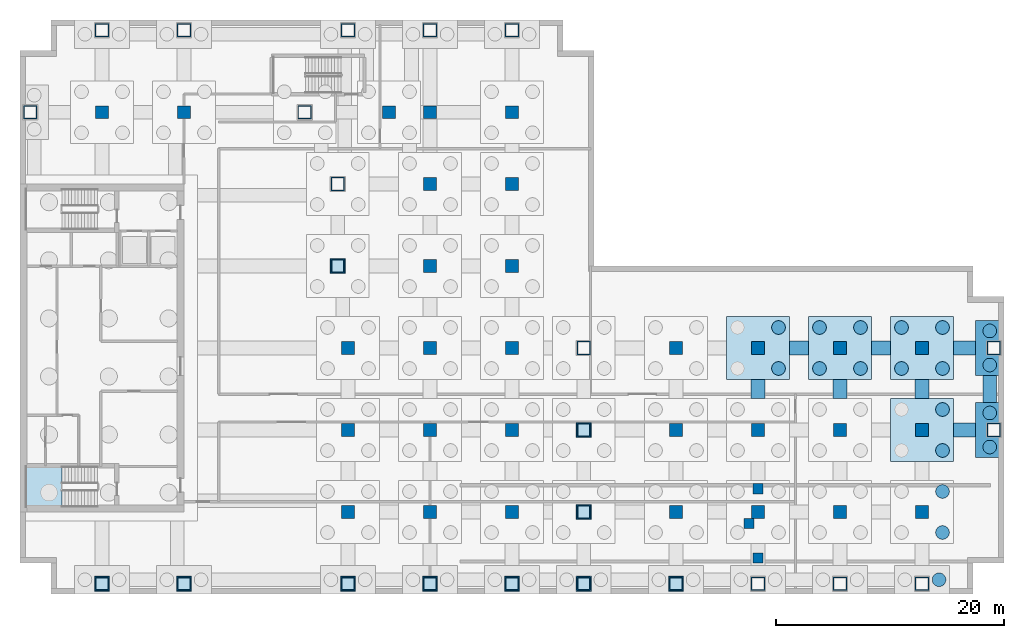
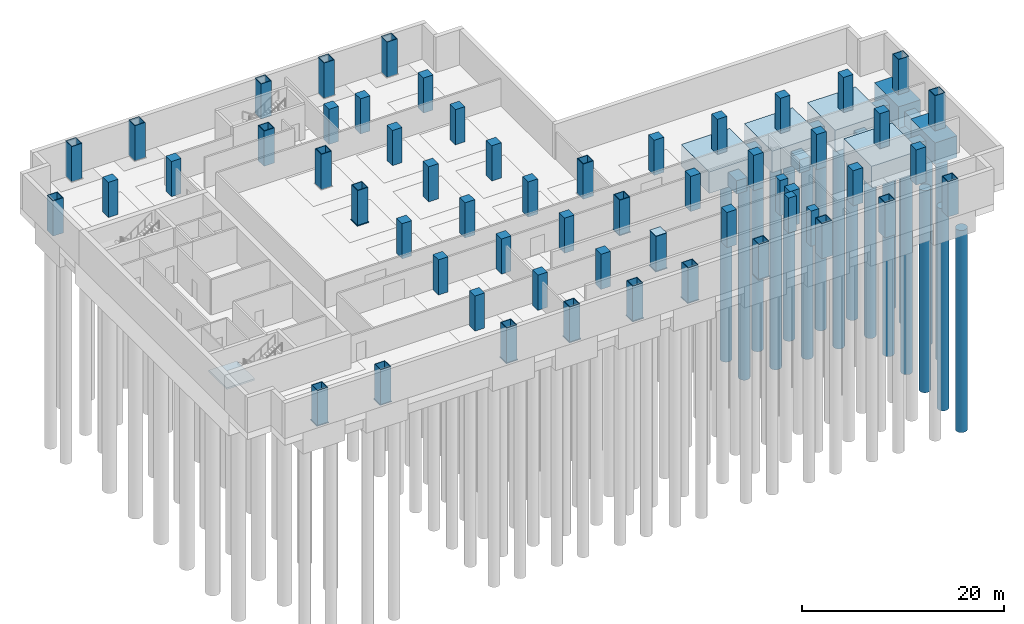
# One storey, part 3 of 11: 57 columns, 19 piles, 14 footings, 11 plates, 1 slab, 1 element without a shape of its own.
"""IFC4 building model written with IfcOpenShell, lengths in metres."""

from ifc_helpers import new_model, si_unit, direction, frame, origin, origin_2d, place, context, subcontext, project, spatial, polyline, rectangle, hollow_rectangle, circle, outline, extrude, material, layer, layer_set, material_profile, profile_set, type_object, element, aggregate, save


model = new_model("IFC4")

# Units and contexts
model_context = context("Model", 3, precision=1e-05, world=origin(), true_north=direction((0.0, 1.0)))
body_context = subcontext(model_context, "Body", "Model", "MODEL_VIEW")
ifc_project = project(units=[si_unit("LENGTHUNIT", "METRE"), si_unit("AREAUNIT", "SQUARE_METRE"), si_unit("VOLUMEUNIT", "CUBIC_METRE"), si_unit("PLANEANGLEUNIT", "RADIAN"), si_unit("MASSUNIT", "GRAM", prefix="KILO")], contexts=[model_context])

# Site, building, storey
site_placement = place(None, origin())
site = spatial("IfcSite", under=ifc_project, at=site_placement, CompositionType="ELEMENT")
building_placement = place(site_placement, origin())
building = spatial("IfcBuilding", under=site, at=building_placement, Name="Cobrela Telecom Tower", CompositionType="ELEMENT")
storey_placement = place(building_placement, frame((0.0, 0.0, -9.10009765625)))
storey = spatial("IfcBuildingStorey", under=building, at=storey_placement, Name="B2", CompositionType="ELEMENT", Elevation=-9.10009765625)

# Footings
ifc_material_1 = material(Name="Concrete C40/50", Category="concrete")
ifc_material_profile_1 = material_profile(ifc_material_1, rectangle(XDim=1.199951171875, YDim=1.60009765625, at=origin_2d()), Name="GB 1200x1600")
ifc_profile_set_1 = profile_set([ifc_material_profile_1], Name="Concrete C40/50")
footing_type_1 = type_object("IfcFootingType", Name="FTG-GB-1200", PredefinedType="FOOTING_BEAM", material=ifc_profile_set_1)
footing_1_placement = place(storey_placement, frame((64.800048828125, 17.14990234375, -1.599853515625), z_axis=(0.0, 1.0, 0.0), x_axis=(-1.0, 0.0, 0.0)))
element("IfcFooting", 1, at=footing_1_placement, inside=storey, type_object=footing_type_1, Name="Foundation Tie Grade Beam GB-081", PredefinedType="FOOTING_BEAM", context=body_context, shape_type="SweptSolid", body=[
    extrude(rectangle(XDim=1.199951171875, YDim=1.60009765625, at=origin_2d()), origin(), (0.0, 0.0, 1.0), 1.7001953125),
])
footing_2_placement = place(storey_placement, frame((67.550048828125, 21.60009765625, -1.599853515625), z_axis=(1.0, 0.0, 0.0), x_axis=(0.0, 1.0, 0.0)))
element("IfcFooting", 2, at=footing_2_placement, inside=storey, type_object=footing_type_1, Name="Foundation Tie Grade Beam GB-083", PredefinedType="FOOTING_BEAM", context=body_context, shape_type="SweptSolid", body=[
    extrude(rectangle(XDim=1.199951171875, YDim=1.60009765625, at=origin_2d()), origin(), (0.0, 0.0, 1.0), 1.699951171875),
])
footing_3_placement = place(storey_placement, frame((72.0, 17.14990234375, -1.599853515625), z_axis=(0.0, 1.0, 0.0), x_axis=(-1.0, 0.0, 0.0)))
element("IfcFooting", 3, at=footing_3_placement, inside=storey, type_object=footing_type_1, Name="Foundation Tie Grade Beam GB-088", PredefinedType="FOOTING_BEAM", context=body_context, shape_type="SweptSolid", body=[
    extrude(rectangle(XDim=1.199951171875, YDim=1.60009765625, at=origin_2d()), origin(), (0.0, 0.0, 1.0), 1.7001953125),
])
footing_4_placement = place(storey_placement, frame((74.75, 21.60009765625, -1.599853515625), z_axis=(1.0, 0.0, 0.0), x_axis=(0.0, 1.0, 0.0)))
element("IfcFooting", 4, at=footing_4_placement, inside=storey, type_object=footing_type_1, Name="Foundation Tie Grade Beam GB-090", PredefinedType="FOOTING_BEAM", context=body_context, shape_type="SweptSolid", body=[
    extrude(rectangle(XDim=1.199951171875, YDim=1.60009765625, at=origin_2d()), origin(), (0.0, 0.0, 1.0), 1.699951171875),
])
footing_5_placement = place(storey_placement, frame((79.199951171875, 17.14990234375, -1.599853515625), z_axis=(0.0, 1.0, 0.0), x_axis=(-1.0, 0.0, 0.0)))
element("IfcFooting", 5, at=footing_5_placement, inside=storey, type_object=footing_type_1, Name="Foundation Tie Grade Beam GB-093", PredefinedType="FOOTING_BEAM", context=body_context, shape_type="SweptSolid", body=[
    extrude(rectangle(XDim=1.199951171875, YDim=1.60009765625, at=origin_2d()), origin(), (0.0, 0.0, 1.0), 1.7001953125),
])
for number, where, z_axis, x_axis, name in (
    (6, (81.949951171875, 14.39990234375, -1.599853515625), (1.0, 0.0, 0.0), (0.0, 1.0, 0.0), "Foundation Tie Grade Beam GB-094"),
    (7, (81.949951171875, 21.60009765625, -1.599853515625), (1.0, 0.0, 0.0), (0.0, 1.0, 0.0), "Foundation Tie Grade Beam GB-095"),
):
    element("IfcFooting", number, at=place(storey_placement, frame(where, z_axis=z_axis, x_axis=x_axis)), inside=storey, type_object=footing_type_1, Name=name, PredefinedType="FOOTING_BEAM", context=body_context, shape_type="SweptSolid", body=[
        extrude(rectangle(XDim=1.199951171875, YDim=1.60009765625, at=origin_2d()), origin(), (0.0, 0.0, 1.0), 1.949951171875),
    ])
footing_6_placement = place(storey_placement, frame((85.14990234375, 16.800048828125, -1.599853515625), z_axis=(0.0, 1.0, 0.0), x_axis=(-1.0, 0.0, 0.0)))
element("IfcFooting", 8, at=footing_6_placement, inside=storey, type_object=footing_type_1, Name="Foundation Tie Grade Beam GB-096", PredefinedType="FOOTING_BEAM", context=body_context, shape_type="SweptSolid", body=[
    extrude(rectangle(XDim=1.199951171875, YDim=1.60009765625, at=origin_2d()), origin(), (0.0, 0.0, 1.0), 2.39990234375),
])
footing_type_2 = type_object("IfcFootingType", Name="FTG-PC-2P-NS", PredefinedType="PILE_CAP", material=ifc_material_1)
for number, where, z_axis, x_axis, name in (
    (9, (85.14990234375, 14.39990234375, -2.599853515625), (0.0, 0.0, 1.0), (1.0, 0.0, 0.0), "Reinforced Concrete Pile Cap FTG-PC-53"),
    (10, (85.14990234375, 21.60009765625, -2.599853515625), (0.0, 0.0, 1.0), (1.0, 0.0, 0.0), "Reinforced Concrete Pile Cap FTG-PC-54"),
):
    element("IfcFooting", number, at=place(storey_placement, frame(where, z_axis=z_axis, x_axis=x_axis)), inside=storey, type_object=footing_type_2, Name=name, PredefinedType="PILE_CAP", context=body_context, shape_type="SweptSolid", body=[
        extrude(rectangle(XDim=2.5, YDim=4.800048828125, at=origin_2d()), origin(), (0.0, 0.0, 1.0), 2.60009765625),
    ])
footing_type_3 = type_object("IfcFootingType", Name="FTG-PC-4P", PredefinedType="PILE_CAP", material=ifc_material_1)
for number, where, z_axis, x_axis, name in (
    (11, (64.800048828125, 21.60009765625, -2.599853515625), (0.0, 0.0, 1.0), (1.0, 0.0, 0.0), "Reinforced Concrete Pile Cap FTG-PC-44"),
    (12, (72.0, 21.60009765625, -2.599853515625), (0.0, 0.0, 1.0), (1.0, 0.0, 0.0), "Reinforced Concrete Pile Cap FTG-PC-48"),
    (13, (79.199951171875, 14.39990234375, -2.599853515625), (0.0, 0.0, 1.0), (1.0, 0.0, 0.0), "Reinforced Concrete Pile Cap FTG-PC-51"),
    (14, (79.199951171875, 21.60009765625, -2.599853515625), (0.0, 0.0, 1.0), (1.0, 0.0, 0.0), "Reinforced Concrete Pile Cap FTG-PC-52"),
):
    element("IfcFooting", number, at=place(storey_placement, frame(where, z_axis=z_axis, x_axis=x_axis)), inside=storey, type_object=footing_type_3, Name=name, PredefinedType="PILE_CAP", context=body_context, shape_type="SweptSolid", body=[
        extrude(rectangle(XDim=5.5, YDim=5.5, at=origin_2d()), origin(), (0.0, 0.0, 1.0), 2.60009765625),
    ])

# Piles
ifc_material_profile_2 = material_profile(ifc_material_1, circle(Radius=0.60009765625, at=origin_2d()), Name="BORED PILE D1200")
ifc_profile_set_2 = profile_set([ifc_material_profile_2], Name="Concrete C40/50")
pile_type = type_object("IfcPileType", Name="PILE-BORED-1200", PredefinedType="BORED", material=ifc_profile_set_2)
for number, where, z_axis, x_axis, name in (
    (15, (66.60009765625, 19.800048828125, -2.5), (0.0, 0.0, -1.0), (1.0, 0.0, 0.0), "Bored Pile P2-160"),
    (16, (66.60009765625, 23.39990234375, -2.5), (0.0, 0.0, -1.0), (1.0, 0.0, 0.0), "Bored Pile P2-162"),
    (17, (70.199951171875, 19.800048828125, -2.5), (0.0, 0.0, -1.0), (1.0, 0.0, 0.0), "Bored Pile P2-173"),
    (18, (73.800048828125, 19.800048828125, -2.5), (0.0, 0.0, -1.0), (1.0, 0.0, 0.0), "Bored Pile P2-174"),
    (19, (70.199951171875, 23.39990234375, -2.5), (0.0, 0.0, -1.0), (1.0, 0.0, 0.0), "Bored Pile P2-175"),
    (20, (73.800048828125, 23.39990234375, -2.5), (0.0, 0.0, -1.0), (1.0, 0.0, 0.0), "Bored Pile P2-176"),
    (21, (80.699951171875, 1.25, -2.5), (0.0, 0.0, -1.0), (1.0, 0.0, 0.0), "Bored Pile P2-178"),
    (22, (81.0, 5.39990234375, -2.5), (0.0, 0.0, -1.0), (1.0, 0.0, 0.0), "Bored Pile P2-180"),
    (23, (81.0, 9.0, -2.5), (0.0, 0.0, -1.0), (1.0, 0.0, 0.0), "Bored Pile P2-182"),
    (24, (81.0, 12.60009765625, -2.5), (0.0, 0.0, -1.0), (1.0, 0.0, 0.0), "Bored Pile P2-184"),
    (25, (81.0, 16.199951171875, -2.5), (0.0, 0.0, -1.0), (1.0, 0.0, 0.0), "Bored Pile P2-186"),
    (26, (77.39990234375, 19.800048828125, -2.5), (0.0, 0.0, -1.0), (1.0, 0.0, 0.0), "Bored Pile P2-187"),
    (27, (81.0, 19.800048828125, -2.5), (0.0, 0.0, -1.0), (1.0, 0.0, 0.0), "Bored Pile P2-188"),
    (28, (77.39990234375, 23.39990234375, -2.5), (0.0, 0.0, -1.0), (1.0, 0.0, 0.0), "Bored Pile P2-189"),
    (29, (81.0, 23.39990234375, -2.5), (0.0, 0.0, -1.0), (1.0, 0.0, 0.0), "Bored Pile P2-190"),
    (30, (85.14990234375, 12.89990234375, -2.5), (0.0, 0.0, -1.0), (1.0, 0.0, 0.0), "Bored Pile P2-191"),
    (31, (85.14990234375, 15.89990234375, -2.5), (0.0, 0.0, -1.0), (1.0, 0.0, 0.0), "Bored Pile P2-192"),
    (32, (85.14990234375, 20.10009765625, -2.5), (0.0, 0.0, -1.0), (1.0, 0.0, 0.0), "Bored Pile P2-193"),
    (33, (85.14990234375, 23.10009765625, -2.5), (0.0, 0.0, -1.0), (1.0, 0.0, 0.0), "Bored Pile P2-194"),
):
    element("IfcPile", number, at=place(storey_placement, frame(where, z_axis=z_axis, x_axis=x_axis)), inside=storey, type_object=pile_type, Name=name, PredefinedType="BORED", context=body_context, shape_type="SweptSolid", body=[
        extrude(circle(Radius=0.60009765625, at=origin_2d()), origin(), (0.0, 0.0, 1.0), 24.39990234375),
    ])

# Columns
ifc_material_2 = material(Name="Concrete C50/60", Category="concrete")
ifc_material_profile_3 = material_profile(ifc_material_2, rectangle(XDim=1.10009765625, YDim=1.10009765625, at=origin_2d()), Name="RC 1100x1100")
ifc_profile_set_3 = profile_set([ifc_material_profile_3], Name="Concrete C50/60")
column_type_1 = type_object("IfcColumnType", Name="COL-INT-01", PredefinedType="COLUMN", material=ifc_profile_set_3)
for number, where, z_axis, x_axis, name in (
    (34, (7.199951171875, 42.300048828125, 0.0), (0.0, 0.0, 1.0), (1.0, 0.0, 0.0), "B2 Interior Column 03"),
    (35, (14.39990234375, 42.300048828125, 0.0), (0.0, 0.0, 1.0), (1.0, 0.0, 0.0), "B2 Interior Column 06"),
    (36, (28.800048828125, 7.199951171875, 0.0), (0.0, 0.0, 1.0), (1.0, 0.0, 0.0), "B2 Interior Column 12"),
    (37, (28.800048828125, 14.39990234375, 0.0), (0.0, 0.0, 1.0), (1.0, 0.0, 0.0), "B2 Interior Column 13"),
    (38, (28.800048828125, 21.60009765625, 0.0), (0.0, 0.0, 1.0), (1.0, 0.0, 0.0), "B2 Interior Column 14"),
    (39, (32.39990234375, 42.300048828125, 0.0), (0.0, 0.0, 1.0), (1.0, 0.0, 0.0), "B2 Interior Column 16"),
    (40, (36.0, 7.199951171875, 0.0), (0.0, 0.0, 1.0), (1.0, 0.0, 0.0), "B2 Interior Column 18"),
    (41, (36.0, 14.39990234375, 0.0), (0.0, 0.0, 1.0), (1.0, 0.0, 0.0), "B2 Interior Column 19"),
    (42, (36.0, 21.60009765625, 0.0), (0.0, 0.0, 1.0), (1.0, 0.0, 0.0), "B2 Interior Column 20"),
    (43, (36.0, 28.800048828125, 0.0), (0.0, 0.0, 1.0), (1.0, 0.0, 0.0), "B2 Interior Column 21"),
    (44, (36.0, 36.0, 0.0), (0.0, 0.0, 1.0), (1.0, 0.0, 0.0), "B2 Interior Column 22"),
    (45, (36.0, 42.300048828125, 0.0), (0.0, 0.0, 1.0), (1.0, 0.0, 0.0), "B2 Interior Column 23"),
    (46, (43.199951171875, 7.199951171875, 0.0), (0.0, 0.0, 1.0), (1.0, 0.0, 0.0), "B2 Interior Column 26"),
    (47, (43.199951171875, 14.39990234375, 0.0), (0.0, 0.0, 1.0), (1.0, 0.0, 0.0), "B2 Interior Column 27"),
    (48, (43.199951171875, 21.60009765625, 0.0), (0.0, 0.0, 1.0), (1.0, 0.0, 0.0), "B2 Interior Column 28"),
    (49, (43.199951171875, 28.800048828125, 0.0), (0.0, 0.0, 1.0), (1.0, 0.0, 0.0), "B2 Interior Column 29"),
    (50, (43.199951171875, 36.0, 0.0), (0.0, 0.0, 1.0), (1.0, 0.0, 0.0), "B2 Interior Column 30"),
    (51, (43.199951171875, 42.300048828125, 0.0), (0.0, 0.0, 1.0), (1.0, 0.0, 0.0), "B2 Interior Column 31"),
    (52, (57.60009765625, 7.199951171875, 0.0), (0.0, 0.0, 1.0), (1.0, 0.0, 0.0), "B2 Interior Column 38"),
    (53, (57.60009765625, 14.39990234375, 0.0), (0.0, 0.0, 1.0), (1.0, 0.0, 0.0), "B2 Interior Column 39"),
    (54, (57.60009765625, 21.60009765625, 0.0), (0.0, 0.0, 1.0), (1.0, 0.0, 0.0), "B2 Interior Column 40"),
    (55, (64.800048828125, 7.199951171875, 0.0), (0.0, 0.0, 1.0), (1.0, 0.0, 0.0), "B2 Interior Column 42"),
    (56, (64.800048828125, 14.39990234375, 0.0), (0.0, 0.0, 1.0), (1.0, 0.0, 0.0), "B2 Interior Column 43"),
    (57, (64.800048828125, 21.60009765625, 0.0), (0.0, 0.0, 1.0), (1.0, 0.0, 0.0), "B2 Interior Column 44"),
    (58, (72.0, 7.199951171875, 0.0), (0.0, 0.0, 1.0), (1.0, 0.0, 0.0), "B2 Interior Column 46"),
    (59, (72.0, 14.39990234375, 0.0), (0.0, 0.0, 1.0), (1.0, 0.0, 0.0), "B2 Interior Column 47"),
    (60, (72.0, 21.60009765625, 0.0), (0.0, 0.0, 1.0), (1.0, 0.0, 0.0), "B2 Interior Column 48"),
    (61, (79.199951171875, 7.199951171875, 0.0), (0.0, 0.0, 1.0), (1.0, 0.0, 0.0), "B2 Interior Column 50"),
    (62, (79.199951171875, 14.39990234375, 0.0), (0.0, 0.0, 1.0), (1.0, 0.0, 0.0), "B2 Interior Column 51"),
    (63, (79.199951171875, 21.60009765625, 0.0), (0.0, 0.0, 1.0), (1.0, 0.0, 0.0), "B2 Interior Column 52"),
):
    element("IfcColumn", number, at=place(storey_placement, frame(where, z_axis=z_axis, x_axis=x_axis)), inside=storey, type_object=column_type_1, Name=name, PredefinedType="COLUMN", context=body_context, shape_type="SweptSolid", body=[
        extrude(rectangle(XDim=1.10009765625, YDim=1.10009765625, at=origin_2d()), origin(), (0.0, 0.0, 1.0), 4.25),
    ])
ifc_material_profile_4 = material_profile(ifc_material_1, rectangle(XDim=0.89990234375, YDim=0.89990234375, at=origin_2d()), Name="RC 900x900")
ifc_profile_set_4 = profile_set([ifc_material_profile_4], Name="Concrete C40/50")
column_type_2 = type_object("IfcColumnType", Name="COL-INT-02", PredefinedType="COLUMN", material=ifc_profile_set_4)
for number, where, z_axis, x_axis, name in (
    (64, (64.800048828125, 3.14990234375, 0.0), (0.0, 0.0, 1.0), (1.0, 0.0, 0.0), "B2 Vehicle Ramp Mid-Landing Support Pier 3.15"),
    (65, (64.0, 6.199951171875, 0.0), (0.0, 0.0, 1.0), (1.0, 0.0, 0.0), "B2 Vehicle Ramp Mid-Landing Support Pier 6.2"),
    (66, (64.800048828125, 9.25, 0.0), (0.0, 0.0, 1.0), (1.0, 0.0, 0.0), "B2 Vehicle Ramp Mid-Landing Support Pier 9.25"),
):
    element("IfcColumn", number, at=place(storey_placement, frame(where, z_axis=z_axis, x_axis=x_axis)), inside=storey, type_object=column_type_2, Name=name, PredefinedType="COLUMN", context=body_context, shape_type="SweptSolid", body=[
        extrude(rectangle(XDim=0.89990234375, YDim=0.89990234375, at=origin_2d()), origin(), (0.0, 0.0, 1.0), 4.25),
    ])
ifc_material_3 = material(Name="Steel ASTM A572 Grade 50", Category="steel")
ifc_material_profile_5 = material_profile(ifc_material_3, hollow_rectangle(XDim=1.199951171875, YDim=1.199951171875, WallThickness=0.074951171875, at=origin_2d()), Name="BOX 1200x1200x75")
ifc_profile_set_5 = profile_set([ifc_material_profile_5], Name="Steel ASTM A572 Grade 50")
column_type_3 = type_object("IfcColumnType", Name="COL-MEGA-01", PredefinedType="COLUMN", material=ifc_profile_set_5)
for number, where, z_axis, x_axis, name in (
    (67, (0.89990234375, 42.300048828125, 0.0), (0.0, 0.0, 1.0), (1.0, 0.0, 0.0), "B2 Perimeter Mega-Column 01"),
    (68, (7.199951171875, 0.89990234375, 0.0), (0.0, 0.0, 1.0), (1.0, 0.0, 0.0), "B2 Perimeter Mega-Column 02"),
    (69, (7.199951171875, 49.5, 0.0), (0.0, 0.0, 1.0), (1.0, 0.0, 0.0), "B2 Perimeter Mega-Column 04"),
    (70, (14.39990234375, 0.89990234375, 0.0), (0.0, 0.0, 1.0), (1.0, 0.0, 0.0), "B2 Perimeter Mega-Column 05"),
    (71, (14.39990234375, 49.5, 0.0), (0.0, 0.0, 1.0), (1.0, 0.0, 0.0), "B2 Perimeter Mega-Column 07"),
    (72, (25.0, 42.300048828125, 0.0), (0.0, 0.0, 1.0), (1.0, 0.0, 0.0), "B2 Perimeter Mega-Column 08"),
    (73, (27.89990234375, 28.800048828125, 0.0), (0.0, 0.0, 1.0), (1.0, 0.0, 0.0), "B2 Perimeter Mega-Column 09"),
    (74, (27.89990234375, 36.0, 0.0), (0.0, 0.0, 1.0), (1.0, 0.0, 0.0), "B2 Perimeter Mega-Column 10"),
    (75, (28.800048828125, 0.89990234375, 0.0), (0.0, 0.0, 1.0), (1.0, 0.0, 0.0), "B2 Perimeter Mega-Column 11"),
    (76, (28.800048828125, 49.5, 0.0), (0.0, 0.0, 1.0), (1.0, 0.0, 0.0), "B2 Perimeter Mega-Column 15"),
    (77, (36.0, 0.89990234375, 0.0), (0.0, 0.0, 1.0), (1.0, 0.0, 0.0), "B2 Perimeter Mega-Column 17"),
    (78, (36.0, 49.5, 0.0), (0.0, 0.0, 1.0), (1.0, 0.0, 0.0), "B2 Perimeter Mega-Column 24"),
    (79, (43.199951171875, 0.89990234375, 0.0), (0.0, 0.0, 1.0), (1.0, 0.0, 0.0), "B2 Perimeter Mega-Column 25"),
    (80, (43.199951171875, 49.5, 0.0), (0.0, 0.0, 1.0), (1.0, 0.0, 0.0), "B2 Perimeter Mega-Column 32"),
    (81, (49.5, 0.89990234375, 0.0), (0.0, 0.0, 1.0), (1.0, 0.0, 0.0), "B2 Perimeter Mega-Column 33"),
    (82, (49.5, 7.199951171875, 0.0), (0.0, 0.0, 1.0), (1.0, 0.0, 0.0), "B2 Perimeter Mega-Column 34"),
    (83, (49.5, 14.39990234375, 0.0), (0.0, 0.0, 1.0), (1.0, 0.0, 0.0), "B2 Perimeter Mega-Column 35"),
    (84, (49.5, 21.60009765625, 0.0), (0.0, 0.0, 1.0), (1.0, 0.0, 0.0), "B2 Perimeter Mega-Column 36"),
    (85, (57.60009765625, 0.89990234375, 0.0), (0.0, 0.0, 1.0), (1.0, 0.0, 0.0), "B2 Perimeter Mega-Column 37"),
    (86, (64.800048828125, 0.89990234375, 0.0), (0.0, 0.0, 1.0), (1.0, 0.0, 0.0), "B2 Perimeter Mega-Column 41"),
    (87, (72.0, 0.89990234375, 0.0), (0.0, 0.0, 1.0), (1.0, 0.0, 0.0), "B2 Perimeter Mega-Column 45"),
    (88, (79.199951171875, 0.89990234375, 0.0), (0.0, 0.0, 1.0), (1.0, 0.0, 0.0), "B2 Perimeter Mega-Column 49"),
    (89, (85.5, 14.39990234375, 0.0), (0.0, 0.0, 1.0), (1.0, 0.0, 0.0), "B2 Perimeter Mega-Column 53"),
    (90, (85.5, 21.60009765625, 0.0), (0.0, 0.0, 1.0), (1.0, 0.0, 0.0), "B2 Perimeter Mega-Column 54"),
):
    element("IfcColumn", number, at=place(storey_placement, frame(where, z_axis=z_axis, x_axis=x_axis)), inside=storey, type_object=column_type_3, Name=name, PredefinedType="COLUMN", context=body_context, shape_type="SweptSolid", body=[
        extrude(hollow_rectangle(XDim=1.199951171875, YDim=1.199951171875, WallThickness=0.074951171875, at=origin_2d()), origin(), (0.0, 0.0, 1.0), 4.25),
    ])

# Plates
ifc_layer_1 = layer(ifc_material_3, 0.06005859375)
ifc_layer_set_1 = layer_set([ifc_layer_1], Name="Steel ASTM A572 Grade 50")
plate_type_1 = type_object("IfcPlateType", Name="PLT-COL-BASE-60", PredefinedType="USERDEFINED", material=ifc_layer_set_1)
for number, where, z_axis, x_axis, name in (
    (91, (7.199951171875, 0.89990234375, 0.0), (0.0, 0.0, 1.0), (1.0, 0.0, 0.0), "B2 Mega-Column Base Plate 02"),
    (92, (14.39990234375, 0.89990234375, 0.0), (0.0, 0.0, 1.0), (1.0, 0.0, 0.0), "B2 Mega-Column Base Plate 05"),
    (93, (27.89990234375, 28.800048828125, 0.0), (0.0, 0.0, 1.0), (1.0, 0.0, 0.0), "B2 Mega-Column Base Plate 09"),
    (94, (28.800048828125, 0.89990234375, 0.0), (0.0, 0.0, 1.0), (1.0, 0.0, 0.0), "B2 Mega-Column Base Plate 11"),
    (95, (36.0, 0.89990234375, 0.0), (0.0, 0.0, 1.0), (1.0, 0.0, 0.0), "B2 Mega-Column Base Plate 17"),
    (96, (43.199951171875, 0.89990234375, 0.0), (0.0, 0.0, 1.0), (1.0, 0.0, 0.0), "B2 Mega-Column Base Plate 25"),
    (97, (49.5, 0.89990234375, 0.0), (0.0, 0.0, 1.0), (1.0, 0.0, 0.0), "B2 Mega-Column Base Plate 33"),
    (98, (49.5, 7.199951171875, 0.0), (0.0, 0.0, 1.0), (1.0, 0.0, 0.0), "B2 Mega-Column Base Plate 34"),
    (99, (49.5, 14.39990234375, 0.0), (0.0, 0.0, 1.0), (1.0, 0.0, 0.0), "B2 Mega-Column Base Plate 35"),
    (100, (57.60009765625, 0.89990234375, 0.0), (0.0, 0.0, 1.0), (1.0, 0.0, 0.0), "B2 Mega-Column Base Plate 37"),
):
    element("IfcPlate", number, at=place(storey_placement, frame(where, z_axis=z_axis, x_axis=x_axis)), inside=storey, type_object=plate_type_1, Name=name, ObjectType="BASE PLATE", PredefinedType="USERDEFINED", context=body_context, shape_type="SweptSolid", body=[
        extrude(rectangle(XDim=1.360107421875, YDim=1.360107421875, at=origin_2d()), origin(), (0.0, 0.0, 1.0), 0.06005859375),
    ])
ifc_layer_2 = layer(ifc_material_3, 0.044921875)
ifc_layer_set_2 = layer_set([ifc_layer_2], Name="Steel ASTM A572 Grade 50")
plate_type_2 = type_object("IfcPlateType", Name="PLT-END-CAP-45", PredefinedType="SHEET", material=ifc_layer_set_2)
plate_placement = place(storey_placement, frame((49.5, 7.199951171875, 4.24755859375), z_axis=(0.0, 0.0, 1.0), x_axis=(1.0, 0.0, 0.0)))
element("IfcPlate", 101, at=plate_placement, inside=storey, type_object=plate_type_2, Name="B2 Mega-Column Top End Cap Plate 1", PredefinedType="SHEET", context=body_context, shape_type="SweptSolid", body=[
    extrude(rectangle(XDim=1.239990234375, YDim=1.239990234375, at=origin_2d()), origin(), (0.0, 0.0, 1.0), 0.044921875),
])

# Stair, slab
stair_type = type_object("IfcStairType", Name="STAIR-CORE", PredefinedType="HALF_TURN_STAIR", material=ifc_material_1)
stair_placement = place(storey_placement, origin())
stair = element("IfcStair", 102, at=stair_placement, inside=storey, type_object=stair_type, Name="B2 Smokeproof Exit Stair ST2", PredefinedType="HALF_TURN_STAIR")
ifc_layer_3 = layer(ifc_material_1, 0.199951171875)
ifc_layer_set_3 = layer_set([ifc_layer_3], Name="Concrete C40/50")
slab_type = type_object("IfcSlabType", Name="SLAB-LAND-200", PredefinedType="LANDING", material=ifc_layer_set_3)
slab_placement = place(storey_placement, frame((0.0, 0.0, 2.0751953125)))
slab = element("IfcSlab", 103, at=slab_placement, type_object=slab_type, Name="ST2 landing 1", PredefinedType="LANDING", context=body_context, shape_type="SweptSolid", body=[
    extrude(outline(polyline([(3.68505859375, 11.199951171875), (0.47998046875, 11.199951171875), (0.47998046875, 7.64990234375), (3.68505859375, 7.64990234375), (3.68505859375, 11.199951171875)])), origin(), (0.0, 0.0, 1.0), 0.199951171875),
])
aggregate(stair, [slab])

save(model, "model.ifc")
